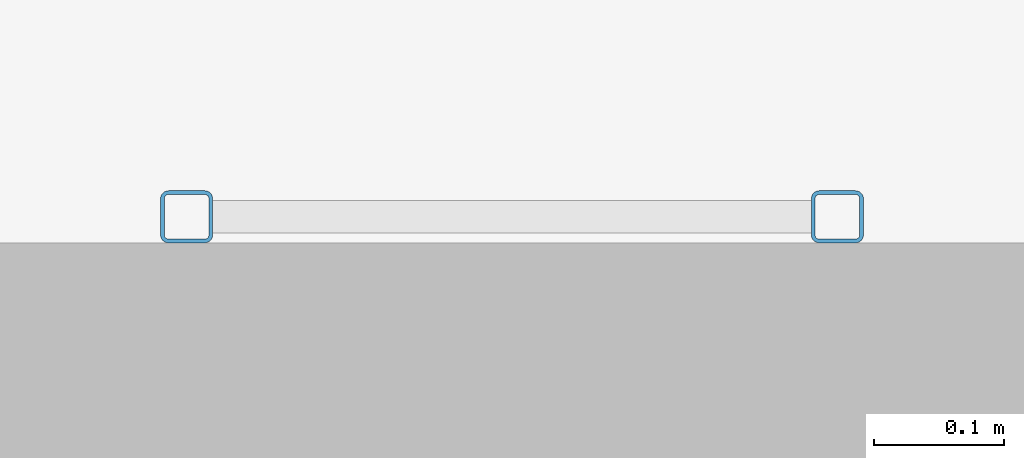
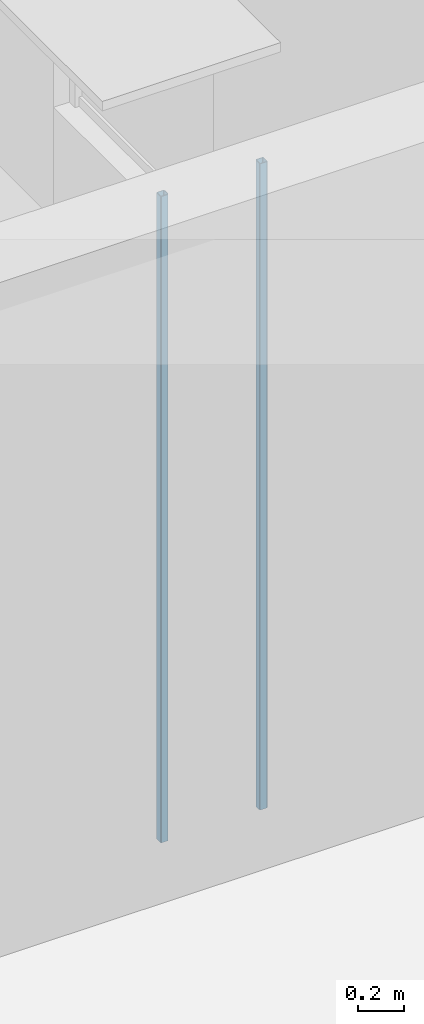
# One storey, part 81 of 94: 2 discrete accessories.
"""IFC4 building model written with IfcOpenShell, lengths in metres."""

from ifc_helpers import new_model, si_unit, direction, frame, origin, origin_2d, place, context, subcontext, project, spatial, hollow_rectangle, extrude, material, material_profile, profile_set, type_object, element, save


model = new_model("IFC4")

# Units and contexts
model_context = context("Model", 3, precision=1e-05, world=origin(), true_north=direction((0.0, 1.0)))
body_context = subcontext(model_context, "Body", "Model", "MODEL_VIEW")
ifc_project = project(units=[si_unit("LENGTHUNIT", "METRE"), si_unit("AREAUNIT", "SQUARE_METRE"), si_unit("VOLUMEUNIT", "CUBIC_METRE"), si_unit("PLANEANGLEUNIT", "RADIAN"), si_unit("MASSUNIT", "GRAM", prefix="KILO")], contexts=[model_context])

# Site, building, storey
site_placement = place(None, origin())
site = spatial("IfcSite", under=ifc_project, at=site_placement, CompositionType="ELEMENT")
building_placement = place(site_placement, origin())
building = spatial("IfcBuilding", under=site, at=building_placement, Name="Yavir Park General Hospital", CompositionType="ELEMENT")
storey_placement = place(building_placement, frame((0.0, 0.0, 4.5)))
storey = spatial("IfcBuildingStorey", under=building, at=storey_placement, Name="L01", CompositionType="ELEMENT", Elevation=4.5)

# Discrete accessories
ifc_material = material(Name="Steel S355", Category="steel")
ifc_material_profile = material_profile(ifc_material, hollow_rectangle(XDim=0.0400390625, YDim=0.0400390625, WallThickness=0.0029296875, InnerFilletRadius=0.0029296875, OuterFilletRadius=0.006103515625, at=origin_2d()), Name="RHS40x40x3")
ifc_profile_set = profile_set([ifc_material_profile], Name="Steel S355")
discrete_accessory_type = type_object("IfcDiscreteAccessoryType", Name="Ladder stringer SHS 40", PredefinedType="BRACKET", material=ifc_profile_set)
for number, where, z_axis, x_axis, name in (
    (1, (165.89990234375, 50.6201171875, 0.0), (0.0, 0.0, 1.0), (1.0, 0.0, 0.0), "Ladder stringer ES1 A"),
    (2, (166.39990234375, 50.6201171875, 0.0), (0.0, 0.0, 1.0), (1.0, 0.0, 0.0), "Ladder stringer ES1 B"),
):
    element("IfcDiscreteAccessory", number, at=place(storey_placement, frame(where, z_axis=z_axis, x_axis=x_axis)), inside=storey, type_object=discrete_accessory_type, Name=name, PredefinedType="BRACKET", context=body_context, shape_type="SweptSolid", body=[
        extrude(hollow_rectangle(XDim=0.0400390625, YDim=0.0400390625, WallThickness=0.0029296875, InnerFilletRadius=0.0029296875, OuterFilletRadius=0.006103515625, at=origin_2d()), origin(), (0.0, 0.0, 1.0), 3.44970703125),
    ])

save(model, "model.ifc")
